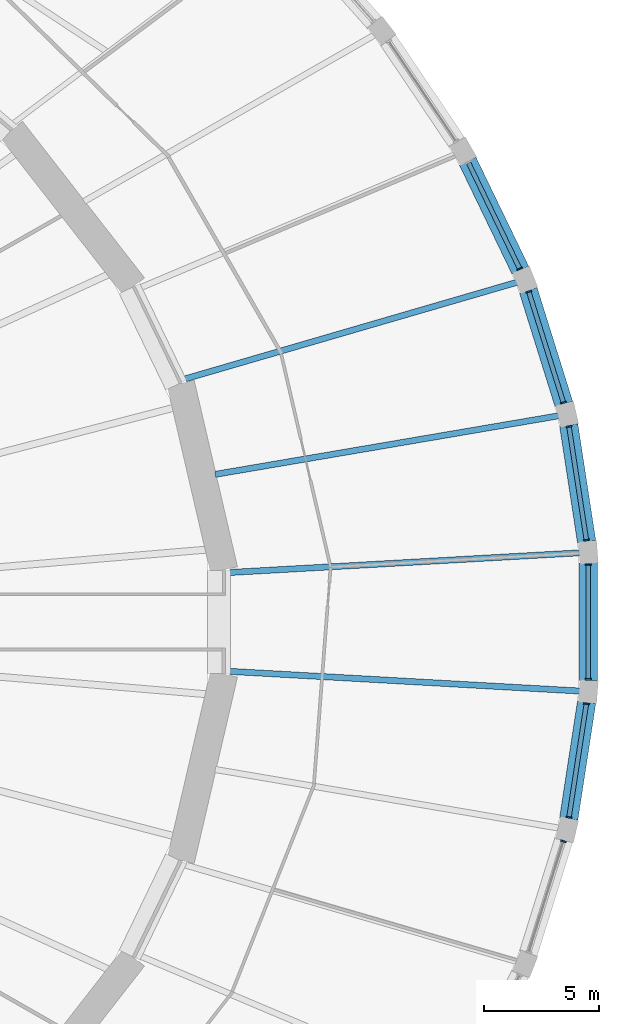
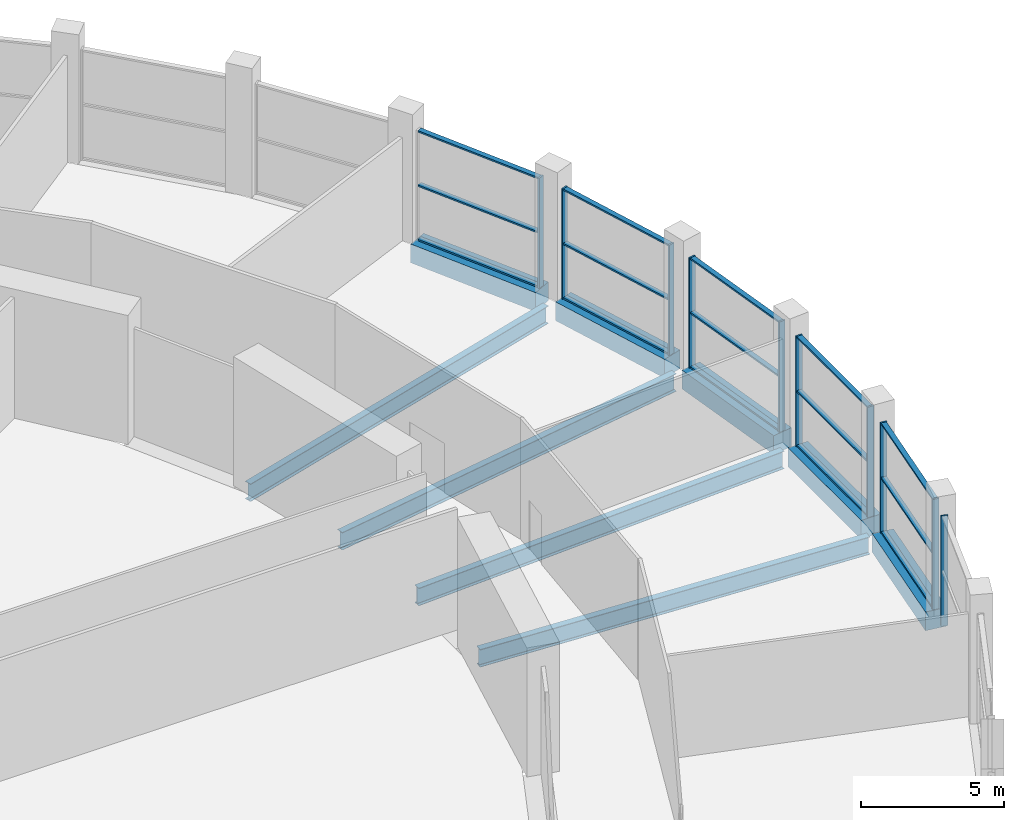
# One storey, part 11 of 29: 25 members, 9 beams, 6 elements without a shape of their own.
"""IFC4 building model written with IfcOpenShell, lengths in metres."""

from ifc_helpers import new_model, si_unit, direction, frame, origin, origin_2d, place, context, subcontext, project, spatial, rectangle, i_section, extrude, material, material_profile, profile_set, type_object, element, aggregate, save


model = new_model("IFC4")

# Units and contexts
model_context = context("Model", 3, precision=1e-05, world=origin(), true_north=direction((0.0, 1.0)))
body_context = subcontext(model_context, "Body", "Model", "MODEL_VIEW")
ifc_project = project(units=[si_unit("LENGTHUNIT", "METRE"), si_unit("AREAUNIT", "SQUARE_METRE"), si_unit("VOLUMEUNIT", "CUBIC_METRE"), si_unit("PLANEANGLEUNIT", "RADIAN"), si_unit("MASSUNIT", "GRAM", prefix="KILO")], contexts=[model_context])

# Site, building, storey
site_placement = place(None, origin())
site = spatial("IfcSite", under=ifc_project, at=site_placement, CompositionType="ELEMENT")
building_placement = place(site_placement, origin())
building = spatial("IfcBuilding", under=site, at=building_placement, Name="Halqa Exchange Tower", CompositionType="ELEMENT")
storey_placement = place(building_placement, frame((0.0, 0.0, 12.5)))
storey = spatial("IfcBuildingStorey", under=building, at=storey_placement, Name="L02", CompositionType="ELEMENT", Elevation=12.5)

# Curtain wall, members
ifc_material_1 = material(Name="Anodised aluminium and clear glass", Category="aluminium")
curtain_wall_type = type_object("IfcCurtainWallType", Name="Exchange hall glazing", PredefinedType="NOTDEFINED", material=ifc_material_1)
curtain_wall_1_placement = place(storey_placement, origin())
curtain_wall_1 = element("IfcCurtainWall", 1, at=curtain_wall_1_placement, inside=storey, type_object=curtain_wall_type, Name="Exchange hall glazing run P1", PredefinedType="NOTDEFINED")
ifc_material_2 = material(Name="Anodised aluminium", Category="aluminium")
ifc_material_profile_1 = material_profile(ifc_material_2, rectangle(XDim=0.25, YDim=0.070068359375, at=origin_2d()), Name="AL 70x250")
ifc_profile_set_1 = profile_set([ifc_material_profile_1], Name="Anodised aluminium")
member_type_1 = type_object("IfcMemberType", Name="Exchange hall glazing mullion 70 x 250", PredefinedType="MULLION", material=ifc_profile_set_1)
member_1_placement = place(storey_placement, frame((53.80322265625, 3.556884765625, 0.0), z_axis=(0.0, 0.0, 1.0), x_axis=(-0.988416304241, -0.151766957898, 0.0)))
member_1 = element("IfcMember", 2, at=member_1_placement, type_object=member_type_1, Name="P1 mullion 1", PredefinedType="MULLION", context=body_context, shape_type="SweptSolid", body=[
    extrude(rectangle(XDim=0.25, YDim=0.070068359375, at=origin_2d()), origin(), (0.0, 0.0, 1.0), 4.699951171875),
])
member_2_placement = place(storey_placement, frame((53.043701171875, 8.50390625, 0.0), z_axis=(0.0, 0.0, 1.0), x_axis=(-0.988416304241, -0.151766957898, 0.0)))
member_2 = element("IfcMember", 3, at=member_2_placement, type_object=member_type_1, Name="P1 mullion 2", PredefinedType="MULLION", context=body_context, shape_type="SweptSolid", body=[
    extrude(rectangle(XDim=0.25, YDim=0.070068359375, at=origin_2d()), origin(), (0.0, 0.0, 1.0), 4.699951171875),
])

curtain_wall_2_placement = place(storey_placement, origin())
curtain_wall_2 = element("IfcCurtainWall", 4, at=curtain_wall_2_placement, inside=storey, type_object=curtain_wall_type, Name="Exchange hall glazing run P2", PredefinedType="NOTDEFINED")
member_3_placement = place(storey_placement, frame((52.802978515625, 9.543212890625, 0.0), z_axis=(0.0, 0.0, 1.0), x_axis=(-0.95447130463, -0.298302746613, 0.0)))
member_3 = element("IfcMember", 5, at=member_3_placement, type_object=member_type_1, Name="P2 mullion 1", PredefinedType="MULLION", context=body_context, shape_type="SweptSolid", body=[
    extrude(rectangle(XDim=0.25, YDim=0.070068359375, at=origin_2d()), origin(), (0.0, 0.0, 1.0), 4.699951171875),
])
member_4_placement = place(storey_placement, frame((51.293701171875, 14.3720703125, 0.0), z_axis=(0.0, 0.0, 1.0), x_axis=(-0.95447130463, -0.298302746613, 0.0)))
member_4 = element("IfcMember", 6, at=member_4_placement, type_object=member_type_1, Name="P2 mullion 2", PredefinedType="MULLION", context=body_context, shape_type="SweptSolid", body=[
    extrude(rectangle(XDim=0.25, YDim=0.070068359375, at=origin_2d()), origin(), (0.0, 0.0, 1.0), 4.699951171875),
])

# Curtain wall, member
curtain_wall_3_placement = place(storey_placement, origin())
curtain_wall_3 = element("IfcCurtainWall", 7, at=curtain_wall_3_placement, inside=storey, type_object=curtain_wall_type, Name="Exchange hall glazing run P3", PredefinedType="NOTDEFINED")
member_5_placement = place(storey_placement, frame((50.9013671875, 15.3642578125, 0.0), z_axis=(0.0, 0.0, 1.0), x_axis=(-0.90043534892, -0.434989864727, 0.0)))
member_5 = element("IfcMember", 8, at=member_5_placement, type_object=member_type_1, Name="P3 mullion 1", PredefinedType="MULLION", context=body_context, shape_type="SweptSolid", body=[
    extrude(rectangle(XDim=0.25, YDim=0.070068359375, at=origin_2d()), origin(), (0.0, 0.0, 1.0), 4.699951171875),
])

curtain_wall_4_placement = place(storey_placement, origin())
curtain_wall_4 = element("IfcCurtainWall", 9, at=curtain_wall_4_placement, inside=storey, type_object=curtain_wall_type, Name="Exchange hall glazing run P46", PredefinedType="NOTDEFINED")
member_6_placement = place(storey_placement, frame((52.802978515625, -9.543212890625, 0.0), z_axis=(0.0, 0.0, 1.0), x_axis=(-0.95447130463, 0.298302746613, 0.0)))
member_6 = element("IfcMember", 10, at=member_6_placement, type_object=member_type_1, Name="P46 mullion 2", PredefinedType="MULLION", context=body_context, shape_type="SweptSolid", body=[
    extrude(rectangle(XDim=0.25, YDim=0.070068359375, at=origin_2d()), origin(), (0.0, 0.0, 1.0), 4.699951171875),
])
aggregate(curtain_wall_4, [member_6])

# Curtain wall, members
curtain_wall_5_placement = place(storey_placement, origin())
curtain_wall_5 = element("IfcCurtainWall", 11, at=curtain_wall_5_placement, inside=storey, type_object=curtain_wall_type, Name="Exchange hall glazing run P47", PredefinedType="NOTDEFINED")
member_7_placement = place(storey_placement, frame((53.043701171875, -8.50390625, 0.0), z_axis=(0.0, 0.0, 1.0), x_axis=(-0.988416304241, 0.151766957898, 0.0)))
member_7 = element("IfcMember", 12, at=member_7_placement, type_object=member_type_1, Name="P47 mullion 1", PredefinedType="MULLION", context=body_context, shape_type="SweptSolid", body=[
    extrude(rectangle(XDim=0.25, YDim=0.070068359375, at=origin_2d()), origin(), (0.0, 0.0, 1.0), 4.699951171875),
])
member_8_placement = place(storey_placement, frame((53.80322265625, -3.556884765625, 0.0), z_axis=(0.0, 0.0, 1.0), x_axis=(-0.988416304241, 0.151766957898, 0.0)))
member_8 = element("IfcMember", 13, at=member_8_placement, type_object=member_type_1, Name="P47 mullion 2", PredefinedType="MULLION", context=body_context, shape_type="SweptSolid", body=[
    extrude(rectangle(XDim=0.25, YDim=0.070068359375, at=origin_2d()), origin(), (0.0, 0.0, 1.0), 4.699951171875),
])

curtain_wall_6_placement = place(storey_placement, origin())
curtain_wall_6 = element("IfcCurtainWall", 14, at=curtain_wall_6_placement, inside=storey, type_object=curtain_wall_type, Name="Exchange hall glazing run P48", PredefinedType="NOTDEFINED")
member_9_placement = place(storey_placement, frame((53.884521484375, -2.4931640625, 0.0), z_axis=(0.0, 0.0, 1.0), x_axis=(-1.0, 0.0, 0.0)))
member_9 = element("IfcMember", 15, at=member_9_placement, type_object=member_type_1, Name="P48 mullion 1", PredefinedType="MULLION", context=body_context, shape_type="SweptSolid", body=[
    extrude(rectangle(XDim=0.25, YDim=0.070068359375, at=origin_2d()), origin(), (0.0, 0.0, 1.0), 4.699951171875),
])
member_10_placement = place(storey_placement, frame((53.884521484375, 2.4931640625, 0.0), z_axis=(0.0, 0.0, 1.0), x_axis=(-1.0, 0.0, 0.0)))
member_10 = element("IfcMember", 16, at=member_10_placement, type_object=member_type_1, Name="P48 mullion 2", PredefinedType="MULLION", context=body_context, shape_type="SweptSolid", body=[
    extrude(rectangle(XDim=0.25, YDim=0.070068359375, at=origin_2d()), origin(), (0.0, 0.0, 1.0), 4.699951171875),
])

# Member
ifc_material_profile_2 = material_profile(ifc_material_2, rectangle(XDim=0.199951171875, YDim=0.070068359375, at=origin_2d()), Name="AL 70x200")
ifc_profile_set_2 = profile_set([ifc_material_profile_2], Name="Anodised aluminium")
member_type_2 = type_object("IfcMemberType", Name="Exchange hall glazing transom 70 x 200", PredefinedType="USERDEFINED", material=ifc_profile_set_2)
member_11_placement = place(storey_placement, frame((53.7978515625, 3.591552734375, 0.034912109375), z_axis=(-0.151782076139, 0.988413982784, 0.0), x_axis=(-0.988413982784, -0.151782076139, 0.0)))
member_11 = element("IfcMember", 17, at=member_11_placement, type_object=member_type_2, Name="P1 transom 1.1", ObjectType="TRANSOM", PredefinedType="USERDEFINED", context=body_context, shape_type="SweptSolid", body=[
    extrude(rectangle(XDim=0.199951171875, YDim=0.070068359375, at=origin_2d()), origin(), (0.0, 0.0, 1.0), 4.934814453125),
])

member_12_placement = place(storey_placement, frame((53.7978515625, 3.591552734375, 2.35009765625), z_axis=(-0.151782076139, 0.988413982784, 0.0), x_axis=(-0.988413982784, -0.151782076139, 0.0)))
member_12 = element("IfcMember", 18, at=member_12_placement, type_object=member_type_2, Name="P1 transom 1.2", ObjectType="TRANSOM", PredefinedType="USERDEFINED", context=body_context, shape_type="SweptSolid", body=[
    extrude(rectangle(XDim=0.199951171875, YDim=0.070068359375, at=origin_2d()), origin(), (0.0, 0.0, 1.0), 4.934814453125),
])

member_13_placement = place(storey_placement, frame((53.7978515625, 3.591552734375, 4.6650390625), z_axis=(-0.151782076139, 0.988413982784, 0.0), x_axis=(-0.988413982784, -0.151782076139, 0.0)))
member_13 = element("IfcMember", 19, at=member_13_placement, type_object=member_type_2, Name="P1 transom 1.3", ObjectType="TRANSOM", PredefinedType="USERDEFINED", context=body_context, shape_type="SweptSolid", body=[
    extrude(rectangle(XDim=0.199951171875, YDim=0.070068359375, at=origin_2d()), origin(), (0.0, 0.0, 1.0), 4.934814453125),
])

aggregate(curtain_wall_1, [member_1, member_2, member_11, member_12, member_13])

member_14_placement = place(storey_placement, frame((52.79248046875, 9.57666015625, 0.034912109375), z_axis=(-0.298305642444, 0.954470399586, 0.0), x_axis=(-0.954470399586, -0.298305642444, 0.0)))
member_14 = element("IfcMember", 20, at=member_14_placement, type_object=member_type_2, Name="P2 transom 1.1", ObjectType="TRANSOM", PredefinedType="USERDEFINED", context=body_context, shape_type="SweptSolid", body=[
    extrude(rectangle(XDim=0.199951171875, YDim=0.070068359375, at=origin_2d()), origin(), (0.0, 0.0, 1.0), 4.989013671875),
])

member_15_placement = place(storey_placement, frame((52.79248046875, 9.57666015625, 2.35009765625), z_axis=(-0.298305642444, 0.954470399586, 0.0), x_axis=(-0.954470399586, -0.298305642444, 0.0)))
member_15 = element("IfcMember", 21, at=member_15_placement, type_object=member_type_2, Name="P2 transom 1.2", ObjectType="TRANSOM", PredefinedType="USERDEFINED", context=body_context, shape_type="SweptSolid", body=[
    extrude(rectangle(XDim=0.199951171875, YDim=0.070068359375, at=origin_2d()), origin(), (0.0, 0.0, 1.0), 4.989013671875),
])

member_16_placement = place(storey_placement, frame((52.79248046875, 9.57666015625, 4.6650390625), z_axis=(-0.298305642444, 0.954470399586, 0.0), x_axis=(-0.954470399586, -0.298305642444, 0.0)))
member_16 = element("IfcMember", 22, at=member_16_placement, type_object=member_type_2, Name="P2 transom 1.3", ObjectType="TRANSOM", PredefinedType="USERDEFINED", context=body_context, shape_type="SweptSolid", body=[
    extrude(rectangle(XDim=0.199951171875, YDim=0.070068359375, at=origin_2d()), origin(), (0.0, 0.0, 1.0), 4.989013671875),
])

aggregate(curtain_wall_2, [member_3, member_4, member_14, member_15, member_16])

member_17_placement = place(storey_placement, frame((50.88623046875, 15.395751953125, 0.034912109375), z_axis=(-0.434989893806, 0.900435334872, 0.0), x_axis=(-0.900435334872, -0.434989893806, 0.0)))
member_17 = element("IfcMember", 23, at=member_17_placement, type_object=member_type_2, Name="P3 transom 1.1", ObjectType="TRANSOM", PredefinedType="USERDEFINED", context=body_context, shape_type="SweptSolid", body=[
    extrude(rectangle(XDim=0.199951171875, YDim=0.070068359375, at=origin_2d()), origin(), (0.0, 0.0, 1.0), 5.07421875),
])

member_18_placement = place(storey_placement, frame((50.88623046875, 15.395751953125, 2.35009765625), z_axis=(-0.434989893806, 0.900435334872, 0.0), x_axis=(-0.900435334872, -0.434989893806, 0.0)))
member_18 = element("IfcMember", 24, at=member_18_placement, type_object=member_type_2, Name="P3 transom 1.2", ObjectType="TRANSOM", PredefinedType="USERDEFINED", context=body_context, shape_type="SweptSolid", body=[
    extrude(rectangle(XDim=0.199951171875, YDim=0.070068359375, at=origin_2d()), origin(), (0.0, 0.0, 1.0), 5.07421875),
])

member_19_placement = place(storey_placement, frame((50.88623046875, 15.395751953125, 4.6650390625), z_axis=(-0.434989893806, 0.900435334872, 0.0), x_axis=(-0.900435334872, -0.434989893806, 0.0)))
member_19 = element("IfcMember", 25, at=member_19_placement, type_object=member_type_2, Name="P3 transom 1.3", ObjectType="TRANSOM", PredefinedType="USERDEFINED", context=body_context, shape_type="SweptSolid", body=[
    extrude(rectangle(XDim=0.199951171875, YDim=0.070068359375, at=origin_2d()), origin(), (0.0, 0.0, 1.0), 5.07421875),
])

aggregate(curtain_wall_3, [member_5, member_17, member_18, member_19])

member_20_placement = place(storey_placement, frame((53.048828125, -8.46923828125, 0.034912109375), z_axis=(0.151782076139, 0.988413982784, 0.0), x_axis=(-0.988413982784, 0.151782076139, 0.0)))
member_20 = element("IfcMember", 26, at=member_20_placement, type_object=member_type_2, Name="P47 transom 1.1", ObjectType="TRANSOM", PredefinedType="USERDEFINED", context=body_context, shape_type="SweptSolid", body=[
    extrude(rectangle(XDim=0.199951171875, YDim=0.070068359375, at=origin_2d()), origin(), (0.0, 0.0, 1.0), 4.934814453125),
])

member_21_placement = place(storey_placement, frame((53.048828125, -8.46923828125, 2.35009765625), z_axis=(0.151782076139, 0.988413982784, 0.0), x_axis=(-0.988413982784, 0.151782076139, 0.0)))
member_21 = element("IfcMember", 27, at=member_21_placement, type_object=member_type_2, Name="P47 transom 1.2", ObjectType="TRANSOM", PredefinedType="USERDEFINED", context=body_context, shape_type="SweptSolid", body=[
    extrude(rectangle(XDim=0.199951171875, YDim=0.070068359375, at=origin_2d()), origin(), (0.0, 0.0, 1.0), 4.934814453125),
])

member_22_placement = place(storey_placement, frame((53.048828125, -8.46923828125, 4.6650390625), z_axis=(0.151782076139, 0.988413982784, 0.0), x_axis=(-0.988413982784, 0.151782076139, 0.0)))
member_22 = element("IfcMember", 28, at=member_22_placement, type_object=member_type_2, Name="P47 transom 1.3", ObjectType="TRANSOM", PredefinedType="USERDEFINED", context=body_context, shape_type="SweptSolid", body=[
    extrude(rectangle(XDim=0.199951171875, YDim=0.070068359375, at=origin_2d()), origin(), (0.0, 0.0, 1.0), 4.934814453125),
])

aggregate(curtain_wall_5, [member_7, member_8, member_20, member_21, member_22])

member_23_placement = place(storey_placement, frame((53.884521484375, -2.458251953125, 0.034912109375), z_axis=(0.0, 1.0, 0.0), x_axis=(-1.0, 0.0, 0.0)))
member_23 = element("IfcMember", 29, at=member_23_placement, type_object=member_type_2, Name="P48 transom 1.1", ObjectType="TRANSOM", PredefinedType="USERDEFINED", context=body_context, shape_type="SweptSolid", body=[
    extrude(rectangle(XDim=0.199951171875, YDim=0.070068359375, at=origin_2d()), origin(), (0.0, 0.0, 1.0), 4.91650390625),
])

member_24_placement = place(storey_placement, frame((53.884521484375, -2.458251953125, 2.35009765625), z_axis=(0.0, 1.0, 0.0), x_axis=(-1.0, 0.0, 0.0)))
member_24 = element("IfcMember", 30, at=member_24_placement, type_object=member_type_2, Name="P48 transom 1.2", ObjectType="TRANSOM", PredefinedType="USERDEFINED", context=body_context, shape_type="SweptSolid", body=[
    extrude(rectangle(XDim=0.199951171875, YDim=0.070068359375, at=origin_2d()), origin(), (0.0, 0.0, 1.0), 4.91650390625),
])

member_25_placement = place(storey_placement, frame((53.884521484375, -2.458251953125, 4.6650390625), z_axis=(0.0, 1.0, 0.0), x_axis=(-1.0, 0.0, 0.0)))
member_25 = element("IfcMember", 31, at=member_25_placement, type_object=member_type_2, Name="P48 transom 1.3", ObjectType="TRANSOM", PredefinedType="USERDEFINED", context=body_context, shape_type="SweptSolid", body=[
    extrude(rectangle(XDim=0.199951171875, YDim=0.070068359375, at=origin_2d()), origin(), (0.0, 0.0, 1.0), 4.91650390625),
])

aggregate(curtain_wall_6, [member_9, member_10, member_23, member_24, member_25])

# Beams
ifc_material_3 = material(Name="Steel S355", Category="steel")
ifc_material_profile_3 = material_profile(ifc_material_3, i_section(OverallWidth=0.264892578125, OverallDepth=0.7529296875, WebThickness=0.01318359375, FlangeThickness=0.01708984375, FilletRadius=0.01708984375, at=origin_2d()), Name="IPE 750x147")
ifc_profile_set_3 = profile_set([ifc_material_profile_3], Name="Steel S355")
beam_type_1 = type_object("IfcBeamType", Name="Floor beam IPE 750x147", PredefinedType="BEAM", material=ifc_profile_set_3)
beam_1_placement = place(storey_placement, frame((38.2880859375, 2.151611328125, -0.7265625), z_axis=(0.998424130563, 0.056118227964, 0.0), x_axis=(-0.056118227964, 0.998424130563, 0.0)))
element("IfcBeam", 32, at=beam_1_placement, inside=storey, type_object=beam_type_1, Name="Radial beam 1", PredefinedType="BEAM", context=body_context, shape_type="SweptSolid", body=[
    extrude(i_section(OverallWidth=0.264892578125, OverallDepth=0.7529296875, WebThickness=0.01318359375, FlangeThickness=0.01708984375, FilletRadius=0.01708984375, at=origin_2d()), origin(), (0.0, 0.0, 1.0), 15.248291015625),
])
beam_2_placement = place(storey_placement, frame((37.654296875, 6.421875, -0.7265625), z_axis=(0.985764762639, 0.168130403968, 0.0), x_axis=(-0.168130403968, 0.985764762639, 0.0)))
element("IfcBeam", 33, at=beam_2_placement, inside=storey, type_object=beam_type_1, Name="Radial beam 2", PredefinedType="BEAM", context=body_context, shape_type="SweptSolid", body=[
    extrude(i_section(OverallWidth=0.264892578125, OverallDepth=0.7529296875, WebThickness=0.01318359375, FlangeThickness=0.01708984375, FilletRadius=0.01708984375, at=origin_2d()), origin(), (0.0, 0.0, 1.0), 15.156982421875),
])
beam_3_placement = place(storey_placement, frame((36.34521484375, 10.578369140625, -0.7265625), z_axis=(0.960162493503, 0.279442276812, 0.0), x_axis=(-0.279442276812, 0.960162493503, 0.0)))
element("IfcBeam", 34, at=beam_3_placement, inside=storey, type_object=beam_type_1, Name="Radial beam 3", PredefinedType="BEAM", context=body_context, shape_type="SweptSolid", body=[
    extrude(i_section(OverallWidth=0.264892578125, OverallDepth=0.7529296875, WebThickness=0.01318359375, FlangeThickness=0.01708984375, FilletRadius=0.01708984375, at=origin_2d()), origin(), (0.0, 0.0, 1.0), 15.02880859375),
])
beam_4_placement = place(storey_placement, frame((38.2880859375, -2.151611328125, -0.7265625), z_axis=(0.998424130563, -0.056118227964, 0.0), x_axis=(0.056118227964, 0.998424130563, 0.0)))
element("IfcBeam", 35, at=beam_4_placement, inside=storey, type_object=beam_type_1, Name="Radial beam 48", PredefinedType="BEAM", context=body_context, shape_type="SweptSolid", body=[
    extrude(i_section(OverallWidth=0.264892578125, OverallDepth=0.7529296875, WebThickness=0.01318359375, FlangeThickness=0.01708984375, FilletRadius=0.01708984375, at=origin_2d()), origin(), (0.0, 0.0, 1.0), 15.248291015625),
])
ifc_material_4 = material(Name="Concrete C60/75", Category="concrete")
ifc_material_profile_4 = material_profile(ifc_material_4, rectangle(XDim=0.800048828125, YDim=0.800048828125, at=origin_2d()), Name="800 x 800")
ifc_profile_set_4 = profile_set([ifc_material_profile_4], Name="Concrete C60/75")
beam_type_2 = type_object("IfcBeamType", Name="RC podium edge beam 800 x 800 C60/75", PredefinedType="SPANDREL", material=ifc_profile_set_4)
beam_5_placement = place(storey_placement, frame((53.812744140625, 3.495361328125, -0.39990234375), z_axis=(-0.151767505705, 0.988416220128, 0.0), x_axis=(-0.988416220128, -0.151767505705, 0.0)))
element("IfcBeam", 36, at=beam_5_placement, inside=storey, type_object=beam_type_2, Name="Podium edge beam 1", PredefinedType="SPANDREL", context=body_context, shape_type="SweptSolid", body=[
    extrude(rectangle(XDim=0.800048828125, YDim=0.800048828125, at=origin_2d()), origin(), (0.0, 0.0, 1.0), 5.1298828125),
])
beam_6_placement = place(storey_placement, frame((52.821044921875, 9.4853515625, -0.39990234375), z_axis=(-0.298331338153, 0.954462368392, 0.0), x_axis=(-0.954462368392, -0.298331338153, 0.0)))
element("IfcBeam", 37, at=beam_6_placement, inside=storey, type_object=beam_type_2, Name="Podium edge beam 2", PredefinedType="SPANDREL", context=body_context, shape_type="SweptSolid", body=[
    extrude(rectangle(XDim=0.800048828125, YDim=0.800048828125, at=origin_2d()), origin(), (0.0, 0.0, 1.0), 5.180908203125),
])
beam_7_placement = place(storey_placement, frame((50.92822265625, 15.308837890625, -0.39990234375), z_axis=(-0.43497328232, 0.9004433595, 0.0), x_axis=(-0.9004433595, -0.43497328232, 0.0)))
element("IfcBeam", 38, at=beam_7_placement, inside=storey, type_object=beam_type_2, Name="Podium edge beam 3", PredefinedType="SPANDREL", context=body_context, shape_type="SweptSolid", body=[
    extrude(rectangle(XDim=0.800048828125, YDim=0.800048828125, at=origin_2d()), origin(), (0.0, 0.0, 1.0), 5.267578125),
])
beam_8_placement = place(storey_placement, frame((53.0341796875, -8.56591796875, -0.39990234375), z_axis=(0.151767505705, 0.988416220128, 0.0), x_axis=(-0.988416220128, 0.151767505705, 0.0)))
element("IfcBeam", 39, at=beam_8_placement, inside=storey, type_object=beam_type_2, Name="Podium edge beam 47", PredefinedType="SPANDREL", context=body_context, shape_type="SweptSolid", body=[
    extrude(rectangle(XDim=0.800048828125, YDim=0.800048828125, at=origin_2d()), origin(), (0.0, 0.0, 1.0), 5.1298828125),
])
beam_9_placement = place(storey_placement, frame((53.884521484375, -2.5556640625, -0.39990234375), z_axis=(0.0, 1.0, 0.0), x_axis=(-1.0, 0.0, 0.0)))
element("IfcBeam", 40, at=beam_9_placement, inside=storey, type_object=beam_type_2, Name="Podium edge beam 48", PredefinedType="SPANDREL", context=body_context, shape_type="SweptSolid", body=[
    extrude(rectangle(XDim=0.800048828125, YDim=0.800048828125, at=origin_2d()), origin(), (0.0, 0.0, 1.0), 5.111328125),
])

save(model, "model.ifc")
